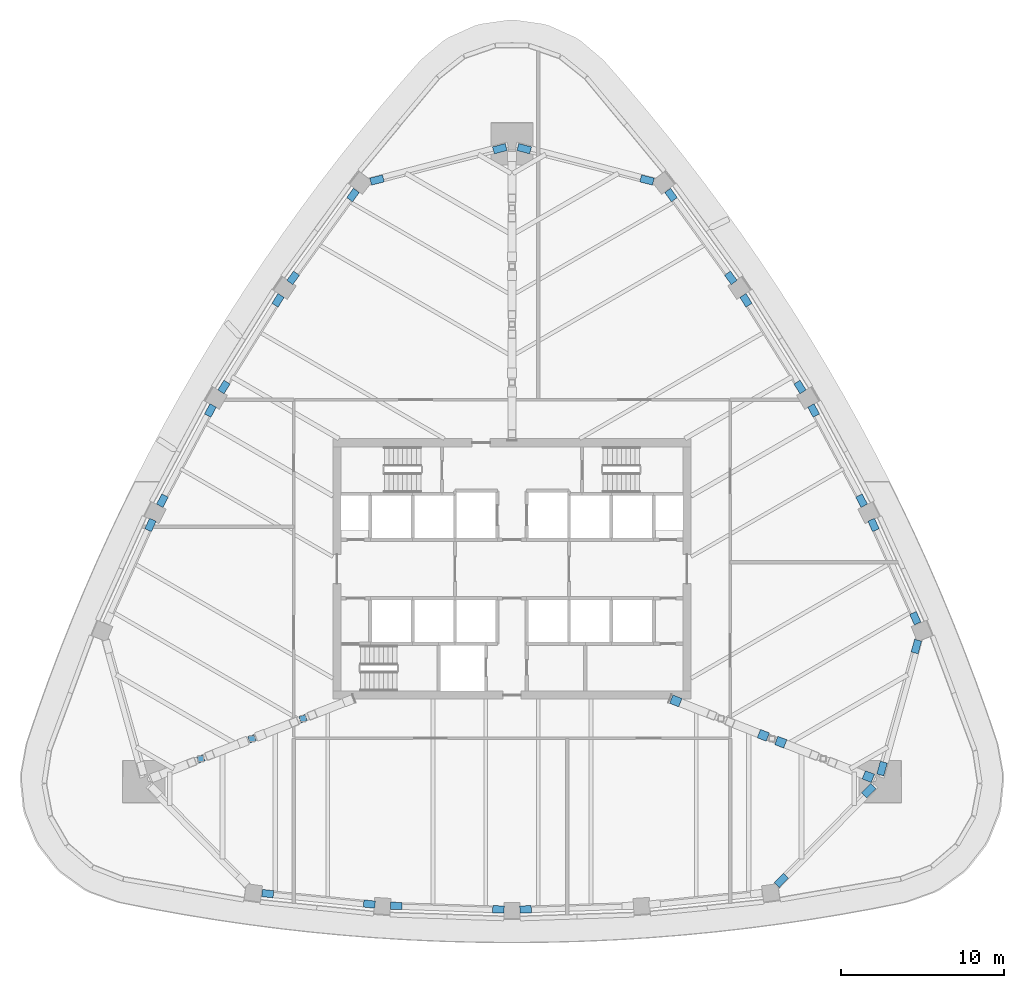
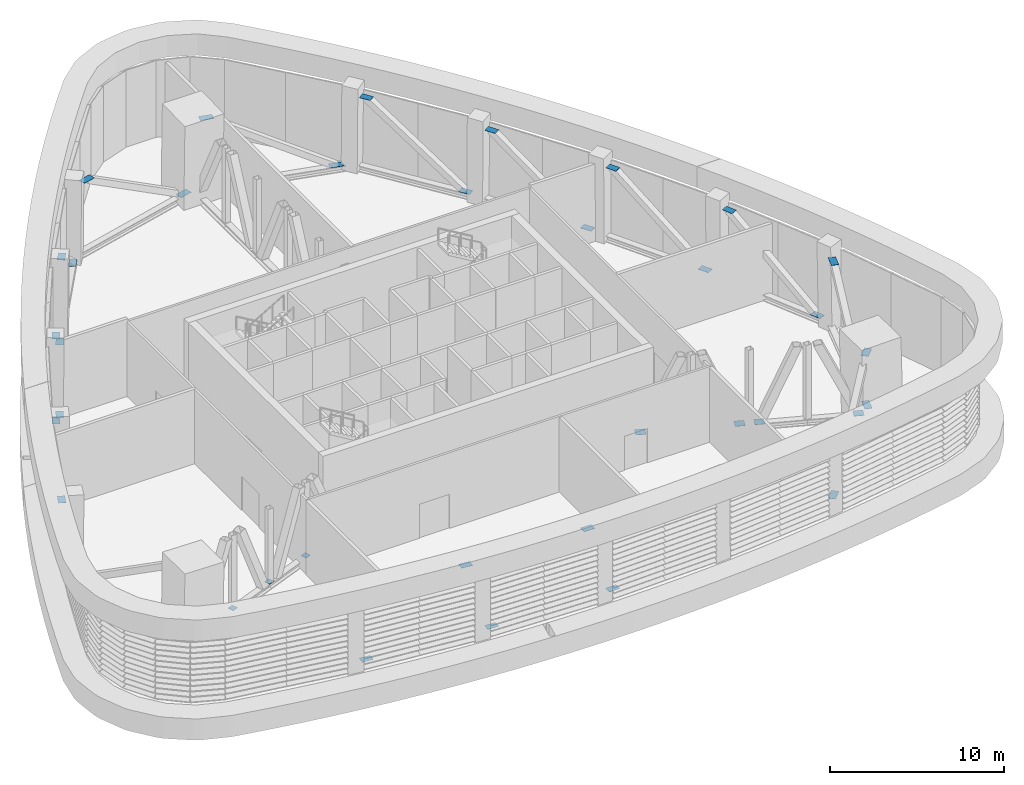
# One storey, part 8 of 18: 35 discrete accessories.
"""IFC4 building model written with IfcOpenShell, lengths in metres."""

from ifc_helpers import new_model, si_unit, direction, frame, origin, origin_2d, place, context, subcontext, project, spatial, rectangle, extrude, material, type_object, element, save


model = new_model("IFC4")

# Units and contexts
model_context = context("Model", 3, precision=1e-05, world=origin(), true_north=direction((0.0, 1.0)))
body_context = subcontext(model_context, "Body", "Model", "MODEL_VIEW")
ifc_project = project(units=[si_unit("LENGTHUNIT", "METRE"), si_unit("AREAUNIT", "SQUARE_METRE"), si_unit("VOLUMEUNIT", "CUBIC_METRE"), si_unit("PLANEANGLEUNIT", "RADIAN"), si_unit("MASSUNIT", "GRAM", prefix="KILO")], contexts=[model_context])

# Site, building, storey
site_placement = place(None, origin())
site = spatial("IfcSite", under=ifc_project, at=site_placement, CompositionType="ELEMENT")
building_placement = place(site_placement, origin())
building = spatial("IfcBuilding", under=site, at=building_placement, Name="Sierra Prisma Convention Tower", CompositionType="ELEMENT")
storey_placement = place(building_placement, frame((0.0, 0.0, 213.800048828125)))
storey = spatial("IfcBuildingStorey", under=building, at=storey_placement, Name="L48", CompositionType="ELEMENT", Elevation=213.800048828125)

# Discrete accessories
ifc_material = material(Name="Steel ASTM A992 Gr 50", Category="steel")
discrete_accessory_type = type_object("IfcDiscreteAccessoryType", Name="Truss end plate", PredefinedType="BRACKET", material=ifc_material)
for number, where, z_axis, x_axis, name in (
    (1, (-15.00341796875, -19.940185546875, 0.4072265625), (0.0, 0.0, 1.0), (0.99479587682, -0.10188799469, 0.0), "Belt truss L48-02 diagonal 1 foot end plate"),
    (2, (-8.76318359375, -20.579345703125, 5.21923828125), (0.0, 0.0, 1.0), (0.99479587682, -0.10188799469, 0.0), "Belt truss L48-02 diagonal 1 head end plate"),
    (3, (-7.101806640625, -20.6923828125, 0.4072265625), (0.0, 0.0, 1.0), (0.999421080185, -0.034022117546, 0.0), "Belt truss L48-03 diagonal 1 foot end plate"),
    (4, (-0.832763671875, -20.906005859375, 5.21923828125), (0.0, 0.0, 1.0), (0.999421080185, -0.034022117546, 0.0), "Belt truss L48-03 diagonal 1 head end plate"),
    (5, (0.832763671875, -20.906005859375, 0.4072265625), (0.0, 0.0, 1.0), (0.999421080185, 0.034022117546, 0.0), "Belt truss L48-04 diagonal 1 foot end plate"),
):
    element("IfcDiscreteAccessory", number, at=place(storey_placement, frame(where, z_axis=z_axis, x_axis=x_axis)), inside=storey, type_object=discrete_accessory_type, Name=name, PredefinedType="BRACKET", context=body_context, shape_type="SweptSolid", body=[
        extrude(rectangle(XDim=0.7060546875, YDim=0.446044921875, at=origin_2d()), origin(), (0.0, 0.0, 1.0), 0.014892578125),
    ])
for number, where, z_axis, x_axis, name in (
    (6, (16.54150390625, -19.1279296875, 0.4072265625), (0.0, 0.0, 1.0), (0.698052951341, 0.716046141756, 0.0), "Belt truss L48-06 diagonal 1 foot end plate"),
    (7, (21.911865234375, -13.618896484375, 5.21923828125), (0.0, 0.0, 1.0), (0.698052951341, 0.716046141756, 0.0), "Belt truss L48-06 diagonal 1 head end plate"),
):
    element("IfcDiscreteAccessory", number, at=place(storey_placement, frame(where, z_axis=z_axis, x_axis=x_axis)), inside=storey, type_object=discrete_accessory_type, Name=name, PredefinedType="BRACKET", context=body_context, shape_type="SweptSolid", body=[
        extrude(rectangle(XDim=0.803955078125, YDim=0.446044921875, at=origin_2d()), origin(), (0.0, 0.0, 1.0), 0.014892578125),
    ])
for number, where, z_axis, x_axis, name in (
    (8, (22.725830078125, -12.25341796875, 0.4072265625), (0.0, 0.0, 1.0), (0.271085993397, 0.962555133062, 0.0), "Belt truss L48-07 diagonal 1 foot end plate"),
    (9, (24.835205078125, -4.764404296875, 5.21923828125), (0.0, 0.0, 1.0), (0.271085993397, 0.962555133062, 0.0), "Belt truss L48-07 diagonal 1 head end plate"),
):
    element("IfcDiscreteAccessory", number, at=place(storey_placement, frame(where, z_axis=z_axis, x_axis=x_axis)), inside=storey, type_object=discrete_accessory_type, Name=name, PredefinedType="BRACKET", context=body_context, shape_type="SweptSolid", body=[
        extrude(rectangle(XDim=0.81005859375, YDim=0.446044921875, at=origin_2d()), origin(), (0.0, 0.0, 1.0), 0.014892578125),
    ])
for number, where, z_axis, x_axis, name in (
    (10, (24.7705078125, -3.0234375, 0.4072265625), (0.0, 0.0, 1.0), (-0.40915079136, 0.912466782918, 0.0), "Belt truss L48-08 diagonal 1 foot end plate"),
    (11, (22.203857421875, 2.700439453125, 5.21923828125), (0.0, 0.0, 1.0), (-0.40915079136, 0.912466782918, 0.0), "Belt truss L48-08 diagonal 1 head end plate"),
    (12, (21.47119140625, 4.19580078125, 0.4072265625), (0.0, 0.0, 1.0), (-0.470254223561, 0.882530999582, 0.0), "Belt truss L48-09 diagonal 1 foot end plate"),
    (13, (18.521484375, 9.731689453125, 5.21923828125), (0.0, 0.0, 1.0), (-0.470254223561, 0.882530999582, 0.0), "Belt truss L48-09 diagonal 1 head end plate"),
    (14, (17.688720703125, 11.174072265625, 0.4072265625), (0.0, 0.0, 1.0), (-0.529164191597, 0.848519450768, 0.0), "Belt truss L48-10 diagonal 1 foot end plate"),
    (15, (14.369384765625, 16.49658203125, 5.21923828125), (0.0, 0.0, 1.0), (-0.529164191597, 0.848519450768, 0.0), "Belt truss L48-10 diagonal 1 head end plate"),
    (16, (13.440673828125, 17.87890625, 0.4072265625), (0.0, 0.0, 1.0), (-0.585644018437, 0.810568370756, 0.0), "Belt truss L48-11 diagonal 1 foot end plate"),
    (17, (9.766845703125, 22.96337890625, 5.21923828125), (0.0, 0.0, 1.0), (-0.585644018437, 0.810568370756, 0.0), "Belt truss L48-11 diagonal 1 head end plate"),
):
    element("IfcDiscreteAccessory", number, at=place(storey_placement, frame(where, z_axis=z_axis, x_axis=x_axis)), inside=storey, type_object=discrete_accessory_type, Name=name, PredefinedType="BRACKET", context=body_context, shape_type="SweptSolid", body=[
        extrude(rectangle(XDim=0.7060546875, YDim=0.446044921875, at=origin_2d()), origin(), (0.0, 0.0, 1.0), 0.014892578125),
    ])
for number, where, z_axis, x_axis, name in (
    (18, (8.29150390625, 23.889892578125, 0.4072265625), (0.0, 0.0, 1.0), (-0.96913976423, 0.246511901107, 0.0), "Belt truss L48-12 diagonal 1 foot end plate"),
    (19, (0.74951171875, 25.808349609375, 5.21923828125), (0.0, 0.0, 1.0), (-0.96913976423, 0.246511901107, 0.0), "Belt truss L48-12 diagonal 1 head end plate"),
    (20, (-0.74951171875, 25.808349609375, 0.4072265625), (0.0, 0.0, 1.0), (-0.96913976423, -0.246511901107, 0.0), "Belt truss L48-13 diagonal 1 foot end plate"),
    (21, (-8.29150390625, 23.889892578125, 5.21923828125), (0.0, 0.0, 1.0), (-0.96913976423, -0.246511901107, 0.0), "Belt truss L48-13 diagonal 1 head end plate"),
):
    element("IfcDiscreteAccessory", number, at=place(storey_placement, frame(where, z_axis=z_axis, x_axis=x_axis)), inside=storey, type_object=discrete_accessory_type, Name=name, PredefinedType="BRACKET", context=body_context, shape_type="SweptSolid", body=[
        extrude(rectangle(XDim=0.81005859375, YDim=0.446044921875, at=origin_2d()), origin(), (0.0, 0.0, 1.0), 0.014892578125),
    ])
for number, where, z_axis, x_axis, name in (
    (22, (-9.766845703125, 22.96337890625, 0.4072265625), (0.0, 0.0, 1.0), (-0.585644018437, -0.810568370756, 0.0), "Belt truss L48-14 diagonal 1 foot end plate"),
    (23, (-13.440673828125, 17.87890625, 5.21923828125), (0.0, 0.0, 1.0), (-0.585644018437, -0.810568370756, 0.0), "Belt truss L48-14 diagonal 1 head end plate"),
    (24, (-14.369384765625, 16.49658203125, 0.4072265625), (0.0, 0.0, 1.0), (-0.529164191597, -0.848519450768, 0.0), "Belt truss L48-15 diagonal 1 foot end plate"),
    (25, (-17.688720703125, 11.174072265625, 5.21923828125), (0.0, 0.0, 1.0), (-0.529164191597, -0.848519450768, 0.0), "Belt truss L48-15 diagonal 1 head end plate"),
    (26, (-18.521484375, 9.731689453125, 0.4072265625), (0.0, 0.0, 1.0), (-0.470254223561, -0.882530999582, 0.0), "Belt truss L48-16 diagonal 1 foot end plate"),
    (27, (-21.47119140625, 4.19580078125, 5.21923828125), (0.0, 0.0, 1.0), (-0.470254223561, -0.882530999582, 0.0), "Belt truss L48-16 diagonal 1 head end plate"),
    (28, (-22.203857421875, 2.700439453125, 0.4072265625), (0.0, 0.0, 1.0), (-0.40915079136, -0.912466782918, 0.0), "Belt truss L48-17 diagonal 1 foot end plate"),
):
    element("IfcDiscreteAccessory", number, at=place(storey_placement, frame(where, z_axis=z_axis, x_axis=x_axis)), inside=storey, type_object=discrete_accessory_type, Name=name, PredefinedType="BRACKET", context=body_context, shape_type="SweptSolid", body=[
        extrude(rectangle(XDim=0.7060546875, YDim=0.446044921875, at=origin_2d()), origin(), (0.0, 0.0, 1.0), 0.014892578125),
    ])
discrete_accessory_1_placement = place(storey_placement, frame((21.884033203125, -12.751220703125, 0.4072265625), z_axis=(0.0, 0.0, 1.0), x_axis=(-0.93065149564, 0.365906810079, 0.0)))
element("IfcDiscreteAccessory", 29, at=discrete_accessory_1_placement, inside=storey, type_object=discrete_accessory_type, Name="Outrigger truss L48 SE diagonal 1 foot end plate", PredefinedType="BRACKET", context=body_context, shape_type="SweptSolid", body=[
    extrude(rectangle(XDim=0.59912109375, YDim=0.548095703125, at=origin_2d()), origin(), (0.0, 0.0, 1.0), 0.014892578125),
])
for number, where, z_axis, x_axis, name in (
    (30, (16.50634765625, -10.63671875, 0.4072265625), (0.0, 0.0, 1.0), (-0.93065149564, 0.365906810079, 0.0), "Outrigger truss L48 SE diagonal 2 foot end plate"),
    (31, (15.437744140625, -10.216552734375, 0.4072265625), (0.0, 0.0, 1.0), (-0.93065149564, 0.365906810079, 0.0), "Outrigger truss L48 SE diagonal 3 foot end plate"),
):
    element("IfcDiscreteAccessory", number, at=place(storey_placement, frame(where, z_axis=z_axis, x_axis=x_axis)), inside=storey, type_object=discrete_accessory_type, Name=name, PredefinedType="BRACKET", context=body_context, shape_type="SweptSolid", body=[
        extrude(rectangle(XDim=0.592041015625, YDim=0.548095703125, at=origin_2d()), origin(), (0.0, 0.0, 1.0), 0.014892578125),
    ])
discrete_accessory_2_placement = place(storey_placement, frame((10.06005859375, -8.102294921875, 0.4072265625), z_axis=(0.0, 0.0, 1.0), x_axis=(-0.93065149564, 0.365906810079, 0.0)))
element("IfcDiscreteAccessory", 32, at=discrete_accessory_2_placement, inside=storey, type_object=discrete_accessory_type, Name="Outrigger truss L48 SE diagonal 4 foot end plate", PredefinedType="BRACKET", context=body_context, shape_type="SweptSolid", body=[
    extrude(rectangle(XDim=0.59912109375, YDim=0.548095703125, at=origin_2d()), origin(), (0.0, 0.0, 1.0), 0.014892578125),
])
for number, where, z_axis, x_axis, name in (
    (33, (-19.114013671875, -11.662109375, 0.4072265625), (0.0, 0.0, 1.0), (0.93065149564, 0.365906810079, 0.0), "Outrigger truss L48 SW post 1 end plate"),
    (34, (-15.97216796875, -10.4267578125, 0.4072265625), (0.0, 0.0, 1.0), (0.93065149564, 0.365906810079, 0.0), "Outrigger truss L48 SW post 2 end plate"),
    (35, (-12.830078125, -9.19140625, 0.4072265625), (0.0, 0.0, 1.0), (0.93065149564, 0.365906810079, 0.0), "Outrigger truss L48 SW post 3 end plate"),
):
    element("IfcDiscreteAccessory", number, at=place(storey_placement, frame(where, z_axis=z_axis, x_axis=x_axis)), inside=storey, type_object=discrete_accessory_type, Name=name, PredefinedType="BRACKET", context=body_context, shape_type="SweptSolid", body=[
        extrude(rectangle(XDim=0.39599609375, YDim=0.39599609375, at=origin_2d()), origin(), (0.0, 0.0, 1.0), 0.014892578125),
    ])

save(model, "model.ifc")
